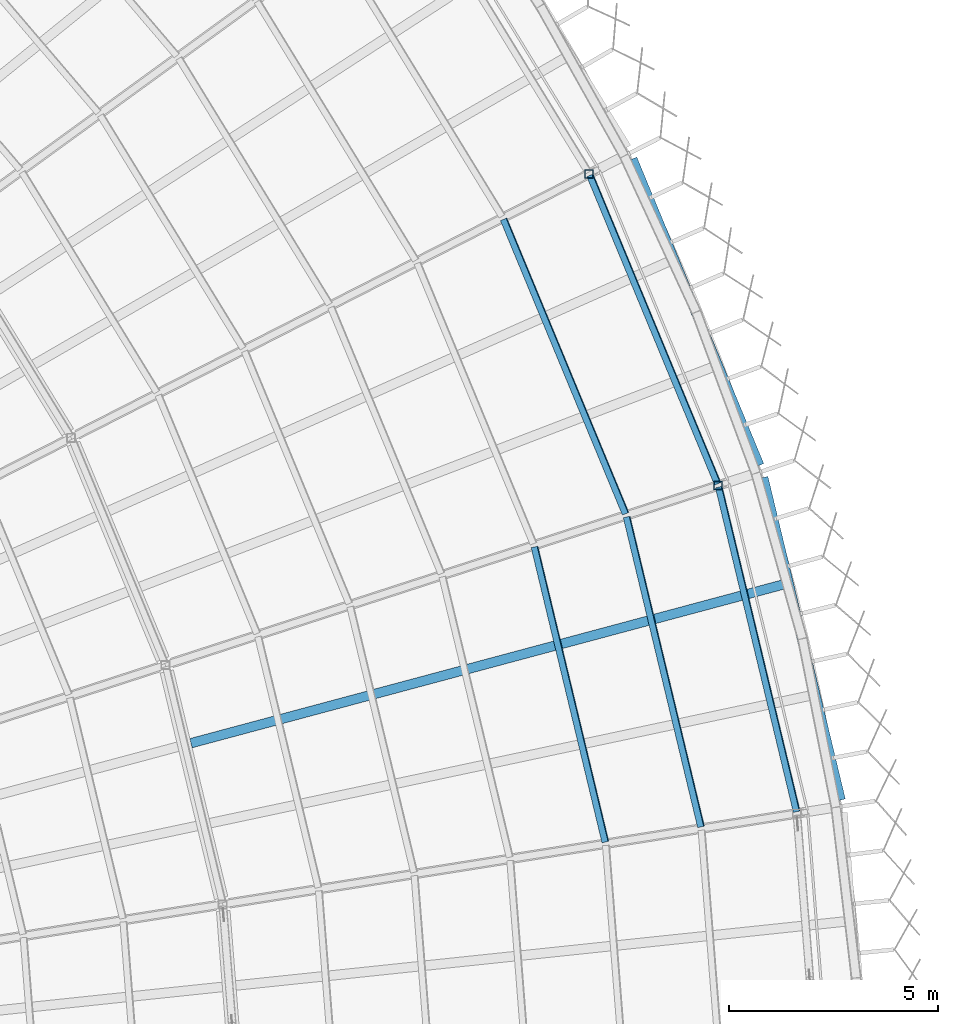
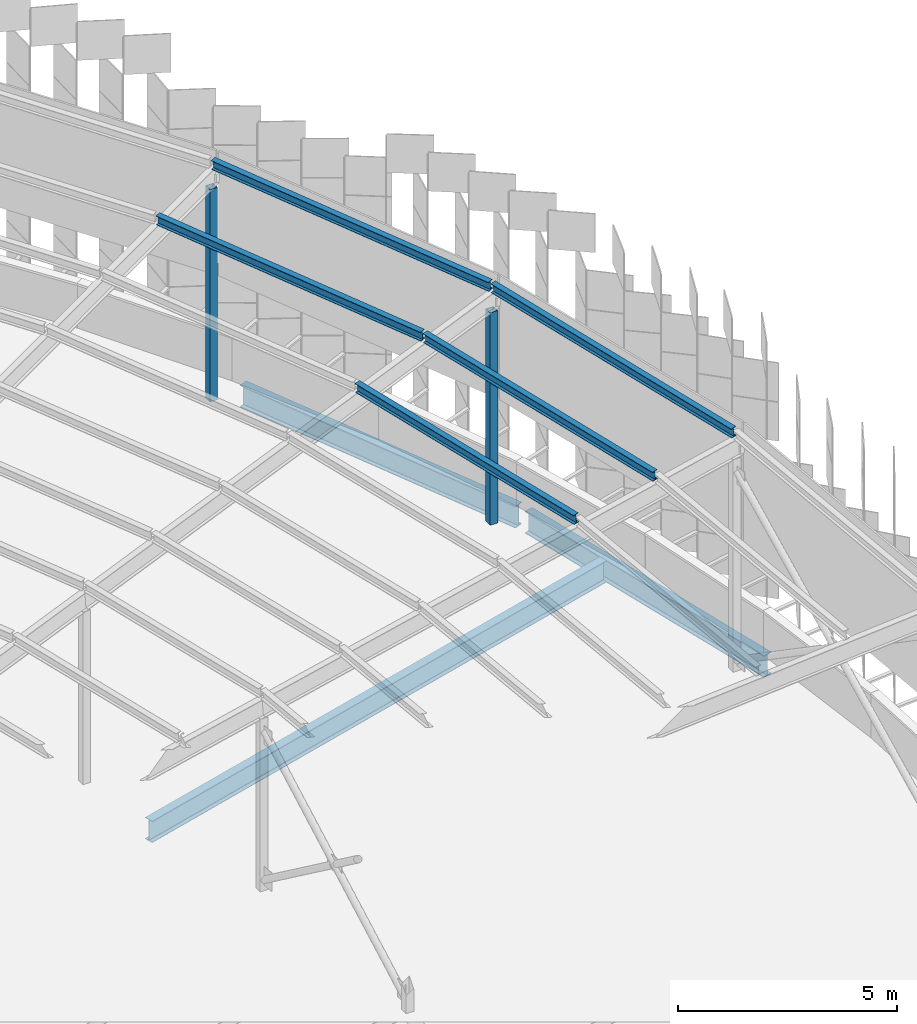
# One storey, part 92 of 483: 7 members, 3 beams.
"""IFC4 building model written with IfcOpenShell, lengths in metres."""

from ifc_helpers import new_model, si_unit, direction, frame, origin, origin_2d, place, context, subcontext, project, spatial, hollow_rectangle, i_section, extrude, material, material_profile, profile_set, type_object, element, save


model = new_model("IFC4")

# Units and contexts
model_context = context("Model", 3, precision=1e-05, world=origin(), true_north=direction((0.0, 1.0)))
body_context = subcontext(model_context, "Body", "Model", "MODEL_VIEW")
ifc_project = project(units=[si_unit("LENGTHUNIT", "METRE"), si_unit("AREAUNIT", "SQUARE_METRE"), si_unit("VOLUMEUNIT", "CUBIC_METRE"), si_unit("PLANEANGLEUNIT", "RADIAN"), si_unit("MASSUNIT", "GRAM", prefix="KILO")], contexts=[model_context])

# Site, building, storey
site_placement = place(None, origin())
site = spatial("IfcSite", under=ifc_project, at=site_placement, CompositionType="ELEMENT")
building_placement = place(site_placement, origin())
building = spatial("IfcBuilding", under=site, at=building_placement, Name="Parallax Yard Mobility Hub", CompositionType="ELEMENT")
storey_placement = place(building_placement, frame((0.0, 0.0, 13.199951171875)))
storey = spatial("IfcBuildingStorey", under=building, at=storey_placement, Name="L04", CompositionType="ELEMENT", Elevation=13.199951171875)

# Members
ifc_material_1 = material(Name="Steel ASTM A500 Gr C", Category="steel")
ifc_material_profile_1 = material_profile(ifc_material_1, hollow_rectangle(XDim=0.203125, YDim=0.203125, WallThickness=0.009521484375, at=origin_2d()), Name="HSS203x203x9.5")
ifc_profile_set_1 = profile_set([ifc_material_profile_1], Name="Steel ASTM A500 Gr C")
member_type_1 = type_object("IfcMemberType", Name="Canopy post HSS203x203x9.5", PredefinedType="POST", material=ifc_profile_set_1)
for number, where, z_axis, x_axis, name in (
    (1, (218.297607421875, 113.335205078125, 0.0), (0.0, 0.0, 1.0), (1.0, 0.0, 0.0), "Canopy post RC/R7"),
    (2, (221.38427734375, 105.883544921875, 0.0), (0.0, 0.0, 1.0), (1.0, 0.0, 0.0), "Canopy post RC/R8"),
):
    element("IfcMember", number, at=place(storey_placement, frame(where, z_axis=z_axis, x_axis=x_axis)), inside=storey, type_object=member_type_1, Name=name, PredefinedType="POST", context=body_context, shape_type="SweptSolid", body=[
        extrude(hollow_rectangle(XDim=0.203125, YDim=0.203125, WallThickness=0.009521484375, at=origin_2d()), origin(), (0.0, 0.0, 1.0), 5.922119140625),
    ])
ifc_material_2 = material(Name="Steel ASTM A992", Category="steel")
ifc_material_profile_2 = material_profile(ifc_material_2, i_section(OverallWidth=0.14794921875, OverallDepth=0.26611328125, WebThickness=0.007568359375, FlangeThickness=0.012939453125, at=origin_2d()), Name="W250x45")
ifc_profile_set_2 = profile_set([ifc_material_profile_2], Name="Steel ASTM A992")
member_type_2 = type_object("IfcMemberType", Name="Canopy purlin W250x45", PredefinedType="PURLIN", material=ifc_profile_set_2)
member_1_placement = place(storey_placement, frame((216.2587890625, 112.25048828125, 6.388671875), z_axis=(0.382667684836, -0.923886055194, 0.0), x_axis=(0.920925604071, 0.381441484948, 0.079990157691)))
element("IfcMember", 3, at=member_1_placement, inside=storey, type_object=member_type_2, Name="Canopy purlin sector R7-R8 line 12", PredefinedType="PURLIN", context=body_context, shape_type="SweptSolid", body=[
    extrude(i_section(OverallWidth=0.14794921875, OverallDepth=0.26611328125, WebThickness=0.007568359375, FlangeThickness=0.012939453125, at=origin_2d()), origin(), (0.0, 0.0, 1.0), 7.6220703125),
])
member_2_placement = place(storey_placement, frame((218.32275390625, 113.30224609375, 6.573974609375), z_axis=(0.382706405427, -0.923870016423, 0.0), x_axis=(0.920909616693, 0.381480081464, 0.079990157691)))
element("IfcMember", 4, at=member_2_placement, inside=storey, type_object=member_type_2, Name="Canopy purlin sector R7-R8 line 13", PredefinedType="PURLIN", context=body_context, shape_type="SweptSolid", body=[
    extrude(i_section(OverallWidth=0.14794921875, OverallDepth=0.26611328125, WebThickness=0.007568359375, FlangeThickness=0.012939453125, at=origin_2d()), origin(), (0.0, 0.0, 1.0), 7.985595703125),
])
member_3_placement = place(storey_placement, frame((216.997314453125, 104.415283203125, 6.203369140625), z_axis=(0.233463273443, -0.972365620512, 0.0), x_axis=(0.969249824059, 0.232715176201, 0.079990157691)))
element("IfcMember", 5, at=member_3_placement, inside=storey, type_object=member_type_2, Name="Canopy purlin sector R8-R9 line 11", PredefinedType="PURLIN", context=body_context, shape_type="SweptSolid", body=[
    extrude(i_section(OverallWidth=0.14794921875, OverallDepth=0.26611328125, WebThickness=0.007568359375, FlangeThickness=0.012939453125, at=origin_2d()), origin(), (0.0, 0.0, 1.0), 7.258544921875),
])
member_4_placement = place(storey_placement, frame((219.20068359375, 105.131103515625, 6.388671875), z_axis=(0.233443216929, -0.972370435827, 0.0), x_axis=(0.969254623944, 0.232695183954, 0.079990157691)))
element("IfcMember", 6, at=member_4_placement, inside=storey, type_object=member_type_2, Name="Canopy purlin sector R8-R9 line 12", PredefinedType="PURLIN", context=body_context, shape_type="SweptSolid", body=[
    extrude(i_section(OverallWidth=0.14794921875, OverallDepth=0.26611328125, WebThickness=0.007568359375, FlangeThickness=0.012939453125, at=origin_2d()), origin(), (0.0, 0.0, 1.0), 7.6220703125),
])
member_5_placement = place(storey_placement, frame((221.404052734375, 105.84716796875, 6.573974609375), z_axis=(0.233446953349, -0.972369538793, 0.0), x_axis=(0.969253729784, 0.232698908402, 0.079990157691)))
element("IfcMember", 7, at=member_5_placement, inside=storey, type_object=member_type_2, Name="Canopy purlin sector R8-R9 line 13", PredefinedType="PURLIN", context=body_context, shape_type="SweptSolid", body=[
    extrude(i_section(OverallWidth=0.14794921875, OverallDepth=0.26611328125, WebThickness=0.007568359375, FlangeThickness=0.012939453125, at=origin_2d()), origin(), (0.0, 0.0, 1.0), 7.98583984375),
])

# Beams
ifc_material_profile_3 = material_profile(ifc_material_2, i_section(OverallWidth=0.22802734375, OverallDepth=0.60205078125, WebThickness=0.010498046875, FlangeThickness=0.014892578125, FilletRadius=0.0126953125, at=origin_2d()), Name="W610x101")
ifc_profile_set_3 = profile_set([ifc_material_profile_3], Name="Steel ASTM A992")
beam_type_1 = type_object("IfcBeamType", Name="W610x101 secondary beam", PredefinedType="JOIST", material=ifc_profile_set_3)
beam_placement = place(storey_placement, frame((208.77978515625, 99.72119140625, -0.44091796875), z_axis=(0.965924299306, 0.258824743814, 0.0), x_axis=(-0.258824743814, 0.965924299306, 0.0)))
element("IfcBeam", 8, at=beam_placement, inside=storey, type_object=beam_type_1, Name="Secondary beam B3 level L04, radial at 75 degrees of ramped parking decks, span 2", PredefinedType="JOIST", context=body_context, shape_type="SweptSolid", body=[
    extrude(i_section(OverallWidth=0.22802734375, OverallDepth=0.60205078125, WebThickness=0.010498046875, FlangeThickness=0.014892578125, FilletRadius=0.0126953125, at=origin_2d()), origin(), (0.0, 0.0, 1.0), 14.681884765625),
])
ifc_material_profile_4 = material_profile(ifc_material_2, i_section(OverallWidth=0.22900390625, OverallDepth=0.612060546875, WebThickness=0.011962890625, FlangeThickness=0.01953125, FilletRadius=0.0126953125, at=origin_2d()), Name="W610x125")
ifc_profile_set_4 = profile_set([ifc_material_profile_4], Name="Steel ASTM A992")
beam_type_2 = type_object("IfcBeamType", Name="W610x125 edge beam", PredefinedType="SPANDREL", material=ifc_profile_set_4)
for number, where, z_axis, x_axis, name in (
    (9, (219.336181640625, 113.693115234375, -0.446044921875), (0.38272419086, -0.923862648737, 0.0), (0.923862648737, 0.38272419086, 0.0), "Edge beam SB7 level L04, ring RC of ramped parking decks, span 8"),
    (10, (222.46630859375, 106.07470703125, -0.446044921875), (0.233421843416, -0.972375566855, 0.0), (0.972375566855, 0.233421843416, 0.0), "Edge beam SB7 level L04, ring RC of ramped parking decks, span 9"),
):
    element("IfcBeam", number, at=place(storey_placement, frame(where, z_axis=z_axis, x_axis=x_axis)), inside=storey, type_object=beam_type_2, Name=name, PredefinedType="SPANDREL", context=body_context, shape_type="SweptSolid", body=[
        extrude(i_section(OverallWidth=0.22900390625, OverallDepth=0.612060546875, WebThickness=0.011962890625, FlangeThickness=0.01953125, FilletRadius=0.0126953125, at=origin_2d()), origin(), (0.0, 0.0, 1.0), 7.932373046875),
    ])

save(model, "model.ifc")
